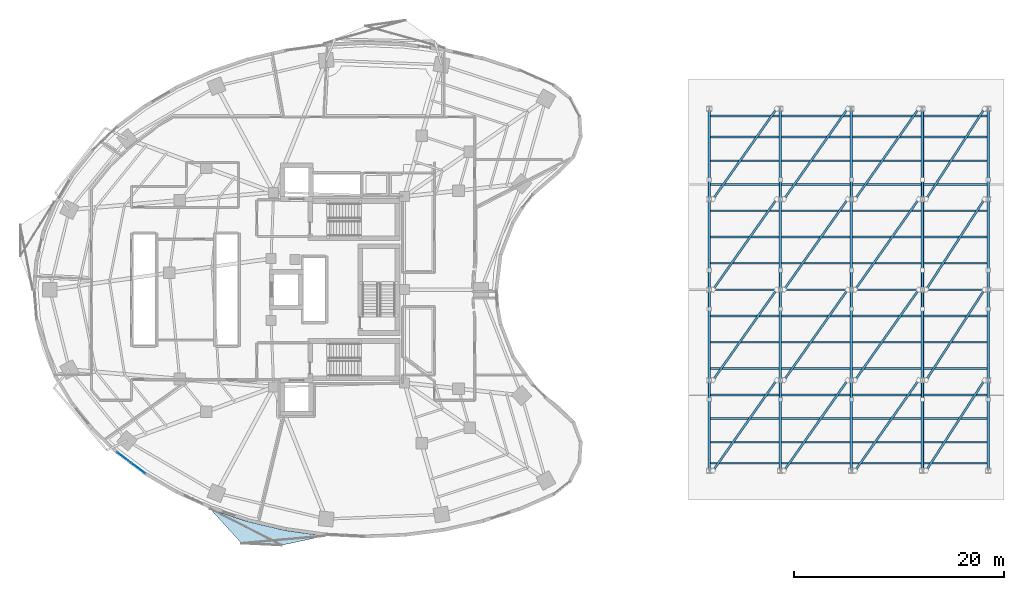
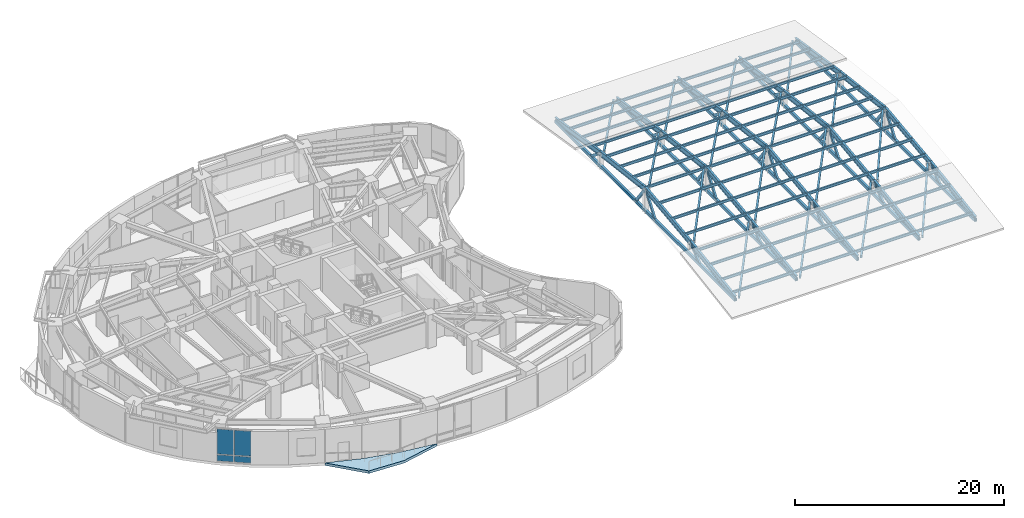
# One storey, part 8 of 17: 41 members, 35 beams, 4 plates, 1 slab, 1 element without a shape of its own.
"""IFC4 building model written with IfcOpenShell, lengths in metres."""

from ifc_helpers import new_model, si_unit, direction, frame, origin, origin_2d, place, context, subcontext, project, spatial, polyline, rectangle, hollow_rectangle, i_section, outline, extrude, material, layer, layer_set, material_profile, profile_set, type_object, element, aggregate, save


model = new_model("IFC4")

# Units and contexts
model_context = context("Model", 3, precision=1e-05, world=origin(), true_north=direction((0.0, 1.0)))
body_context = subcontext(model_context, "Body", "Model", "MODEL_VIEW")
ifc_project = project(units=[si_unit("LENGTHUNIT", "METRE"), si_unit("AREAUNIT", "SQUARE_METRE"), si_unit("VOLUMEUNIT", "CUBIC_METRE"), si_unit("PLANEANGLEUNIT", "RADIAN"), si_unit("MASSUNIT", "GRAM", prefix="KILO")], contexts=[model_context])

# Site, building, storey
site_placement = place(None, origin())
site = spatial("IfcSite", under=ifc_project, at=site_placement, CompositionType="ELEMENT")
building_placement = place(site_placement, origin())
building = spatial("IfcBuilding", under=site, at=building_placement, Name="Korentha Bioscience Tower", CompositionType="ELEMENT")
storey_placement = place(building_placement, frame((0.0, 0.0, 25.800048828125)))
storey = spatial("IfcBuildingStorey", under=building, at=storey_placement, Name="L05", CompositionType="ELEMENT", Elevation=25.800048828125)

# Beams
ifc_material_1 = material(Name="Steel S355", Category="steel")
ifc_material_profile_1 = material_profile(ifc_material_1, i_section(OverallWidth=0.22998046875, OverallDepth=0.616943359375, WebThickness=0.01318359375, FlangeThickness=0.022216796875, at=origin_2d()), Name="Steel S355")
ifc_profile_set_1 = profile_set([ifc_material_profile_1], Name="Steel S355 (TV-610)")
beam_type_1 = type_object("IfcBeamType", Name="Theatre Vault Arch Chord W610x140", PredefinedType="BEAM", material=ifc_profile_set_1)
beam_1_placement = place(storey_placement, frame((66.5, 9.800048828125, 0.37548828125), z_axis=(0.0, 0.988765843258, 0.149472764098), x_axis=(-1.0, 0.0, 0.0)))
element("IfcBeam", 1, at=beam_1_placement, inside=storey, type_object=beam_type_1, Name="L05 Theatre Vault Arch Rib 01-1", PredefinedType="BEAM", context=body_context, shape_type="SweptSolid", body=[
    extrude(i_section(OverallWidth=0.22998046875, OverallDepth=0.616943359375, WebThickness=0.01318359375, FlangeThickness=0.022216796875, at=origin_2d()), origin(), (0.0, 0.0, 1.0), 8.697509765625),
])
for number, where, z_axis, x_axis, name in (
    (2, (66.5, 18.39990234375, 1.675537109375), (0.0, 0.99263183095, 0.121169501876), (-1.0, 0.0, 0.0), "L05 Theatre Vault Arch Rib 01-2"),
    (3, (66.5, 27.0, 2.725341796875), (0.0, 0.99263183095, -0.121169501876), (-1.0, 0.0, 0.0), "L05 Theatre Vault Arch Rib 01-3"),
):
    element("IfcBeam", number, at=place(storey_placement, frame(where, z_axis=z_axis, x_axis=x_axis)), inside=storey, type_object=beam_type_1, Name=name, PredefinedType="BEAM", context=body_context, shape_type="SweptSolid", body=[
        extrude(i_section(OverallWidth=0.22998046875, OverallDepth=0.616943359375, WebThickness=0.01318359375, FlangeThickness=0.022216796875, at=origin_2d()), origin(), (0.0, 0.0, 1.0), 8.663818359375),
    ])
for number, where, z_axis, x_axis, name in (
    (4, (66.5, 35.60009765625, 1.675537109375), (0.0, 0.988765843258, -0.149472764098), (-1.0, 0.0, 0.0), "L05 Theatre Vault Arch Rib 01-4"),
    (5, (73.25, 9.800048828125, 0.37548828125), (0.0, 0.988765843258, 0.149472764098), (-1.0, 0.0, 0.0), "L05 Theatre Vault Arch Rib 02-1"),
):
    element("IfcBeam", number, at=place(storey_placement, frame(where, z_axis=z_axis, x_axis=x_axis)), inside=storey, type_object=beam_type_1, Name=name, PredefinedType="BEAM", context=body_context, shape_type="SweptSolid", body=[
        extrude(i_section(OverallWidth=0.22998046875, OverallDepth=0.616943359375, WebThickness=0.01318359375, FlangeThickness=0.022216796875, at=origin_2d()), origin(), (0.0, 0.0, 1.0), 8.697509765625),
    ])
for number, where, z_axis, x_axis, name in (
    (6, (73.25, 18.39990234375, 1.675537109375), (0.0, 0.99263183095, 0.121169501876), (-1.0, 0.0, 0.0), "L05 Theatre Vault Arch Rib 02-2"),
    (7, (73.25, 27.0, 2.725341796875), (0.0, 0.99263183095, -0.121169501876), (-1.0, 0.0, 0.0), "L05 Theatre Vault Arch Rib 02-3"),
):
    element("IfcBeam", number, at=place(storey_placement, frame(where, z_axis=z_axis, x_axis=x_axis)), inside=storey, type_object=beam_type_1, Name=name, PredefinedType="BEAM", context=body_context, shape_type="SweptSolid", body=[
        extrude(i_section(OverallWidth=0.22998046875, OverallDepth=0.616943359375, WebThickness=0.01318359375, FlangeThickness=0.022216796875, at=origin_2d()), origin(), (0.0, 0.0, 1.0), 8.663818359375),
    ])
for number, where, z_axis, x_axis, name in (
    (8, (73.25, 35.60009765625, 1.675537109375), (0.0, 0.988765843258, -0.149472764098), (-1.0, 0.0, 0.0), "L05 Theatre Vault Arch Rib 02-4"),
    (9, (80.0, 9.800048828125, 0.37548828125), (0.0, 0.988765843258, 0.149472764098), (-1.0, 0.0, 0.0), "L05 Theatre Vault Arch Rib 03-1"),
):
    element("IfcBeam", number, at=place(storey_placement, frame(where, z_axis=z_axis, x_axis=x_axis)), inside=storey, type_object=beam_type_1, Name=name, PredefinedType="BEAM", context=body_context, shape_type="SweptSolid", body=[
        extrude(i_section(OverallWidth=0.22998046875, OverallDepth=0.616943359375, WebThickness=0.01318359375, FlangeThickness=0.022216796875, at=origin_2d()), origin(), (0.0, 0.0, 1.0), 8.697509765625),
    ])
for number, where, z_axis, x_axis, name in (
    (10, (80.0, 18.39990234375, 1.675537109375), (0.0, 0.99263183095, 0.121169501876), (-1.0, 0.0, 0.0), "L05 Theatre Vault Arch Rib 03-2"),
    (11, (80.0, 27.0, 2.725341796875), (0.0, 0.99263183095, -0.121169501876), (-1.0, 0.0, 0.0), "L05 Theatre Vault Arch Rib 03-3"),
):
    element("IfcBeam", number, at=place(storey_placement, frame(where, z_axis=z_axis, x_axis=x_axis)), inside=storey, type_object=beam_type_1, Name=name, PredefinedType="BEAM", context=body_context, shape_type="SweptSolid", body=[
        extrude(i_section(OverallWidth=0.22998046875, OverallDepth=0.616943359375, WebThickness=0.01318359375, FlangeThickness=0.022216796875, at=origin_2d()), origin(), (0.0, 0.0, 1.0), 8.663818359375),
    ])
for number, where, z_axis, x_axis, name in (
    (12, (80.0, 35.60009765625, 1.675537109375), (0.0, 0.988765843258, -0.149472764098), (-1.0, 0.0, 0.0), "L05 Theatre Vault Arch Rib 03-4"),
    (13, (86.75, 9.800048828125, 0.37548828125), (0.0, 0.988765843258, 0.149472764098), (-1.0, 0.0, 0.0), "L05 Theatre Vault Arch Rib 04-1"),
):
    element("IfcBeam", number, at=place(storey_placement, frame(where, z_axis=z_axis, x_axis=x_axis)), inside=storey, type_object=beam_type_1, Name=name, PredefinedType="BEAM", context=body_context, shape_type="SweptSolid", body=[
        extrude(i_section(OverallWidth=0.22998046875, OverallDepth=0.616943359375, WebThickness=0.01318359375, FlangeThickness=0.022216796875, at=origin_2d()), origin(), (0.0, 0.0, 1.0), 8.697509765625),
    ])
for number, where, z_axis, x_axis, name in (
    (14, (86.75, 18.39990234375, 1.675537109375), (0.0, 0.99263183095, 0.121169501876), (-1.0, 0.0, 0.0), "L05 Theatre Vault Arch Rib 04-2"),
    (15, (86.75, 27.0, 2.725341796875), (0.0, 0.99263183095, -0.121169501876), (-1.0, 0.0, 0.0), "L05 Theatre Vault Arch Rib 04-3"),
):
    element("IfcBeam", number, at=place(storey_placement, frame(where, z_axis=z_axis, x_axis=x_axis)), inside=storey, type_object=beam_type_1, Name=name, PredefinedType="BEAM", context=body_context, shape_type="SweptSolid", body=[
        extrude(i_section(OverallWidth=0.22998046875, OverallDepth=0.616943359375, WebThickness=0.01318359375, FlangeThickness=0.022216796875, at=origin_2d()), origin(), (0.0, 0.0, 1.0), 8.663818359375),
    ])
for number, where, z_axis, x_axis, name in (
    (16, (86.75, 35.60009765625, 1.675537109375), (0.0, 0.988765843258, -0.149472764098), (-1.0, 0.0, 0.0), "L05 Theatre Vault Arch Rib 04-4"),
    (17, (93.0, 9.800048828125, 0.37548828125), (0.0, 0.988765843258, 0.149472764098), (-1.0, 0.0, 0.0), "L05 Theatre Vault Arch Rib 05-1"),
):
    element("IfcBeam", number, at=place(storey_placement, frame(where, z_axis=z_axis, x_axis=x_axis)), inside=storey, type_object=beam_type_1, Name=name, PredefinedType="BEAM", context=body_context, shape_type="SweptSolid", body=[
        extrude(i_section(OverallWidth=0.22998046875, OverallDepth=0.616943359375, WebThickness=0.01318359375, FlangeThickness=0.022216796875, at=origin_2d()), origin(), (0.0, 0.0, 1.0), 8.697509765625),
    ])
for number, where, z_axis, x_axis, name in (
    (18, (93.0, 18.39990234375, 1.675537109375), (0.0, 0.99263183095, 0.121169501876), (-1.0, 0.0, 0.0), "L05 Theatre Vault Arch Rib 05-2"),
    (19, (93.0, 27.0, 2.725341796875), (0.0, 0.99263183095, -0.121169501876), (-1.0, 0.0, 0.0), "L05 Theatre Vault Arch Rib 05-3"),
):
    element("IfcBeam", number, at=place(storey_placement, frame(where, z_axis=z_axis, x_axis=x_axis)), inside=storey, type_object=beam_type_1, Name=name, PredefinedType="BEAM", context=body_context, shape_type="SweptSolid", body=[
        extrude(i_section(OverallWidth=0.22998046875, OverallDepth=0.616943359375, WebThickness=0.01318359375, FlangeThickness=0.022216796875, at=origin_2d()), origin(), (0.0, 0.0, 1.0), 8.663818359375),
    ])
beam_2_placement = place(storey_placement, frame((93.0, 35.60009765625, 1.675537109375), z_axis=(0.0, 0.988765843258, -0.149472764098), x_axis=(-1.0, 0.0, 0.0)))
element("IfcBeam", 20, at=beam_2_placement, inside=storey, type_object=beam_type_1, Name="L05 Theatre Vault Arch Rib 05-4", PredefinedType="BEAM", context=body_context, shape_type="SweptSolid", body=[
    extrude(i_section(OverallWidth=0.22998046875, OverallDepth=0.616943359375, WebThickness=0.01318359375, FlangeThickness=0.022216796875, at=origin_2d()), origin(), (0.0, 0.0, 1.0), 8.697509765625),
])

# Members
ifc_material_profile_2 = material_profile(ifc_material_1, hollow_rectangle(XDim=0.25, YDim=0.35009765625, WallThickness=0.01611328125, at=origin_2d()), Name="Steel S355")
ifc_profile_set_2 = profile_set([ifc_material_profile_2], Name="Steel S355 (TV-C350)")
member_type_1 = type_object("IfcMemberType", Name="Theatre Vault Bottom Chord RHS 350x250x16", PredefinedType="CHORD", material=ifc_profile_set_2)
for number, where, z_axis, x_axis, name in (
    (21, (66.5, 9.800048828125, 0.219970703125), (0.0, 1.0, 0.0), (-1.0, 0.0, 0.0), "L05 Theatre Vault Bottom Chord 01"),
    (22, (73.25, 9.800048828125, 0.219970703125), (0.0, 1.0, 0.0), (-1.0, 0.0, 0.0), "L05 Theatre Vault Bottom Chord 02"),
    (23, (80.0, 9.800048828125, 0.219970703125), (0.0, 1.0, 0.0), (-1.0, 0.0, 0.0), "L05 Theatre Vault Bottom Chord 03"),
    (24, (86.75, 9.800048828125, 0.219970703125), (0.0, 1.0, 0.0), (-1.0, 0.0, 0.0), "L05 Theatre Vault Bottom Chord 04"),
    (25, (93.0, 9.800048828125, 0.219970703125), (0.0, 1.0, 0.0), (-1.0, 0.0, 0.0), "L05 Theatre Vault Bottom Chord 05"),
):
    element("IfcMember", number, at=place(storey_placement, frame(where, z_axis=z_axis, x_axis=x_axis)), inside=storey, type_object=member_type_1, Name=name, PredefinedType="CHORD", context=body_context, shape_type="SweptSolid", body=[
        extrude(hollow_rectangle(XDim=0.25, YDim=0.35009765625, WallThickness=0.01611328125, at=origin_2d()), origin(), (0.0, 0.0, 1.0), 34.39990234375),
    ])

# Beams
ifc_material_profile_3 = material_profile(ifc_material_1, i_section(OverallWidth=0.1650390625, OverallDepth=0.31005859375, WebThickness=0.005859375, FlangeThickness=0.009765625, at=origin_2d()), Name="Steel S355")
ifc_profile_set_3 = profile_set([ifc_material_profile_3], Name="Steel S355 (TP-310)")
beam_type_2 = type_object("IfcBeamType", Name="Theatre Vault Purlin Beam W310x38.7", PredefinedType="BEAM", material=ifc_profile_set_3)
for number, where, z_axis, x_axis, name in (
    (26, (66.5, 10.5, 0.638916015625), (1.0, 0.0, 0.0), (0.0, 1.0, 0.0), "L05 Theatre Vault Purlin 01"),
    (27, (66.5, 12.5, 0.958984375), (1.0, 0.0, 0.0), (0.0, 1.0, 0.0), "L05 Theatre Vault Purlin 02"),
    (28, (66.5, 14.75, 1.31884765625), (1.0, 0.0, 0.0), (0.0, 1.0, 0.0), "L05 Theatre Vault Purlin 03"),
    (29, (66.5, 17.0, 1.678955078125), (1.0, 0.0, 0.0), (0.0, 1.0, 0.0), "L05 Theatre Vault Purlin 04"),
    (30, (66.5, 19.5, 1.97900390625), (1.0, 0.0, 0.0), (0.0, 1.0, 0.0), "L05 Theatre Vault Purlin 05"),
    (31, (66.5, 22.0, 2.279052734375), (1.0, 0.0, 0.0), (0.0, 1.0, 0.0), "L05 Theatre Vault Purlin 06"),
    (32, (66.5, 24.5, 2.578857421875), (1.0, 0.0, 0.0), (0.0, 1.0, 0.0), "L05 Theatre Vault Purlin 07"),
    (33, (66.5, 27.0, 2.87890625), (1.0, 0.0, 0.0), (0.0, 1.0, 0.0), "L05 Theatre Vault Purlin 08"),
    (34, (66.5, 29.5, 2.578857421875), (1.0, 0.0, 0.0), (0.0, 1.0, 0.0), "L05 Theatre Vault Purlin 09"),
    (35, (66.5, 32.0, 2.279052734375), (1.0, 0.0, 0.0), (0.0, 1.0, 0.0), "L05 Theatre Vault Purlin 10"),
    (36, (66.5, 34.5, 1.97900390625), (1.0, 0.0, 0.0), (0.0, 1.0, 0.0), "L05 Theatre Vault Purlin 11"),
    (37, (66.5, 37.0, 1.678955078125), (1.0, 0.0, 0.0), (0.0, 1.0, 0.0), "L05 Theatre Vault Purlin 12"),
    (38, (66.5, 39.25, 1.31884765625), (1.0, 0.0, 0.0), (0.0, 1.0, 0.0), "L05 Theatre Vault Purlin 13"),
    (39, (66.5, 41.5, 0.958984375), (1.0, 0.0, 0.0), (0.0, 1.0, 0.0), "L05 Theatre Vault Purlin 14"),
    (40, (66.5, 43.5, 0.638916015625), (1.0, 0.0, 0.0), (0.0, 1.0, 0.0), "L05 Theatre Vault Purlin 15"),
):
    element("IfcBeam", number, at=place(storey_placement, frame(where, z_axis=z_axis, x_axis=x_axis)), inside=storey, type_object=beam_type_2, Name=name, PredefinedType="BEAM", context=body_context, shape_type="SweptSolid", body=[
        extrude(i_section(OverallWidth=0.1650390625, OverallDepth=0.31005859375, WebThickness=0.005859375, FlangeThickness=0.009765625, at=origin_2d()), origin(), (0.0, 0.0, 1.0), 26.5),
    ])

# Members
ifc_material_profile_4 = material_profile(ifc_material_1, hollow_rectangle(XDim=0.199951171875, YDim=0.300048828125, WallThickness=0.01611328125, at=origin_2d()), Name="Steel S355")
ifc_profile_set_4 = profile_set([ifc_material_profile_4], Name="Steel S355 (TV-W300)")
member_type_2 = type_object("IfcMemberType", Name="Theatre Vault Truss Web RHS 300x200x16", PredefinedType="BRACE", material=ifc_profile_set_4)
member_1_placement = place(storey_placement, frame((66.5, 16.550048828125, 0.219970703125), z_axis=(0.0, 0.785882652454, 0.618375659751), x_axis=(-1.0, 0.0, 0.0)))
element("IfcMember", 41, at=member_1_placement, inside=storey, type_object=member_type_2, Name="L05 Theatre Vault Web Diagonal 01-1", PredefinedType="BRACE", context=body_context, shape_type="SweptSolid", body=[
    extrude(hollow_rectangle(XDim=0.199951171875, YDim=0.300048828125, WallThickness=0.01611328125, at=origin_2d()), origin(), (0.0, 0.0, 1.0), 2.353759765625),
])
for number, where, z_axis, x_axis, name in (
    (42, (66.5, 25.14990234375, 0.219970703125), (0.0, 0.594038345399, 0.804436724793), (-1.0, 0.0, 0.0), "L05 Theatre Vault Web Diagonal 01-2"),
    (43, (66.5, 28.85009765625, 0.219970703125), (0.0, -0.594038345399, 0.804436724793), (1.0, 0.0, 0.0), "L05 Theatre Vault Web Diagonal 01-3"),
):
    element("IfcMember", number, at=place(storey_placement, frame(where, z_axis=z_axis, x_axis=x_axis)), inside=storey, type_object=member_type_2, Name=name, PredefinedType="BRACE", context=body_context, shape_type="SweptSolid", body=[
        extrude(hollow_rectangle(XDim=0.199951171875, YDim=0.300048828125, WallThickness=0.01611328125, at=origin_2d()), origin(), (0.0, 0.0, 1.0), 3.114501953125),
    ])
for number, where, z_axis, x_axis, name in (
    (44, (66.5, 37.449951171875, 0.219970703125), (0.0, -0.785882652454, 0.618375659751), (1.0, 0.0, 0.0), "L05 Theatre Vault Web Diagonal 01-4"),
    (45, (73.25, 16.550048828125, 0.219970703125), (0.0, 0.785882652454, 0.618375659751), (-1.0, 0.0, 0.0), "L05 Theatre Vault Web Diagonal 02-1"),
):
    element("IfcMember", number, at=place(storey_placement, frame(where, z_axis=z_axis, x_axis=x_axis)), inside=storey, type_object=member_type_2, Name=name, PredefinedType="BRACE", context=body_context, shape_type="SweptSolid", body=[
        extrude(hollow_rectangle(XDim=0.199951171875, YDim=0.300048828125, WallThickness=0.01611328125, at=origin_2d()), origin(), (0.0, 0.0, 1.0), 2.353759765625),
    ])
for number, where, z_axis, x_axis, name in (
    (46, (73.25, 25.14990234375, 0.219970703125), (0.0, 0.594038345399, 0.804436724793), (-1.0, 0.0, 0.0), "L05 Theatre Vault Web Diagonal 02-2"),
    (47, (73.25, 28.85009765625, 0.219970703125), (0.0, -0.594038345399, 0.804436724793), (1.0, 0.0, 0.0), "L05 Theatre Vault Web Diagonal 02-3"),
):
    element("IfcMember", number, at=place(storey_placement, frame(where, z_axis=z_axis, x_axis=x_axis)), inside=storey, type_object=member_type_2, Name=name, PredefinedType="BRACE", context=body_context, shape_type="SweptSolid", body=[
        extrude(hollow_rectangle(XDim=0.199951171875, YDim=0.300048828125, WallThickness=0.01611328125, at=origin_2d()), origin(), (0.0, 0.0, 1.0), 3.114501953125),
    ])
for number, where, z_axis, x_axis, name in (
    (48, (73.25, 37.449951171875, 0.219970703125), (0.0, -0.785882652454, 0.618375659751), (1.0, 0.0, 0.0), "L05 Theatre Vault Web Diagonal 02-4"),
    (49, (80.0, 16.550048828125, 0.219970703125), (0.0, 0.785882652454, 0.618375659751), (-1.0, 0.0, 0.0), "L05 Theatre Vault Web Diagonal 03-1"),
):
    element("IfcMember", number, at=place(storey_placement, frame(where, z_axis=z_axis, x_axis=x_axis)), inside=storey, type_object=member_type_2, Name=name, PredefinedType="BRACE", context=body_context, shape_type="SweptSolid", body=[
        extrude(hollow_rectangle(XDim=0.199951171875, YDim=0.300048828125, WallThickness=0.01611328125, at=origin_2d()), origin(), (0.0, 0.0, 1.0), 2.353759765625),
    ])
for number, where, z_axis, x_axis, name in (
    (50, (80.0, 25.14990234375, 0.219970703125), (0.0, 0.594038345399, 0.804436724793), (-1.0, 0.0, 0.0), "L05 Theatre Vault Web Diagonal 03-2"),
    (51, (80.0, 28.85009765625, 0.219970703125), (0.0, -0.594038345399, 0.804436724793), (1.0, 0.0, 0.0), "L05 Theatre Vault Web Diagonal 03-3"),
):
    element("IfcMember", number, at=place(storey_placement, frame(where, z_axis=z_axis, x_axis=x_axis)), inside=storey, type_object=member_type_2, Name=name, PredefinedType="BRACE", context=body_context, shape_type="SweptSolid", body=[
        extrude(hollow_rectangle(XDim=0.199951171875, YDim=0.300048828125, WallThickness=0.01611328125, at=origin_2d()), origin(), (0.0, 0.0, 1.0), 3.114501953125),
    ])
for number, where, z_axis, x_axis, name in (
    (52, (80.0, 37.449951171875, 0.219970703125), (0.0, -0.785882652454, 0.618375659751), (1.0, 0.0, 0.0), "L05 Theatre Vault Web Diagonal 03-4"),
    (53, (86.75, 16.550048828125, 0.219970703125), (0.0, 0.785882652454, 0.618375659751), (-1.0, 0.0, 0.0), "L05 Theatre Vault Web Diagonal 04-1"),
):
    element("IfcMember", number, at=place(storey_placement, frame(where, z_axis=z_axis, x_axis=x_axis)), inside=storey, type_object=member_type_2, Name=name, PredefinedType="BRACE", context=body_context, shape_type="SweptSolid", body=[
        extrude(hollow_rectangle(XDim=0.199951171875, YDim=0.300048828125, WallThickness=0.01611328125, at=origin_2d()), origin(), (0.0, 0.0, 1.0), 2.353759765625),
    ])
for number, where, z_axis, x_axis, name in (
    (54, (86.75, 25.14990234375, 0.219970703125), (0.0, 0.594038345399, 0.804436724793), (-1.0, 0.0, 0.0), "L05 Theatre Vault Web Diagonal 04-2"),
    (55, (86.75, 28.85009765625, 0.219970703125), (0.0, -0.594038345399, 0.804436724793), (1.0, 0.0, 0.0), "L05 Theatre Vault Web Diagonal 04-3"),
):
    element("IfcMember", number, at=place(storey_placement, frame(where, z_axis=z_axis, x_axis=x_axis)), inside=storey, type_object=member_type_2, Name=name, PredefinedType="BRACE", context=body_context, shape_type="SweptSolid", body=[
        extrude(hollow_rectangle(XDim=0.199951171875, YDim=0.300048828125, WallThickness=0.01611328125, at=origin_2d()), origin(), (0.0, 0.0, 1.0), 3.114501953125),
    ])
for number, where, z_axis, x_axis, name in (
    (56, (86.75, 37.449951171875, 0.219970703125), (0.0, -0.785882652454, 0.618375659751), (1.0, 0.0, 0.0), "L05 Theatre Vault Web Diagonal 04-4"),
    (57, (93.0, 16.550048828125, 0.219970703125), (0.0, 0.785882652454, 0.618375659751), (-1.0, 0.0, 0.0), "L05 Theatre Vault Web Diagonal 05-1"),
):
    element("IfcMember", number, at=place(storey_placement, frame(where, z_axis=z_axis, x_axis=x_axis)), inside=storey, type_object=member_type_2, Name=name, PredefinedType="BRACE", context=body_context, shape_type="SweptSolid", body=[
        extrude(hollow_rectangle(XDim=0.199951171875, YDim=0.300048828125, WallThickness=0.01611328125, at=origin_2d()), origin(), (0.0, 0.0, 1.0), 2.353759765625),
    ])
for number, where, z_axis, x_axis, name in (
    (58, (93.0, 25.14990234375, 0.219970703125), (0.0, 0.594038345399, 0.804436724793), (-1.0, 0.0, 0.0), "L05 Theatre Vault Web Diagonal 05-2"),
    (59, (93.0, 28.85009765625, 0.219970703125), (0.0, -0.594038345399, 0.804436724793), (1.0, 0.0, 0.0), "L05 Theatre Vault Web Diagonal 05-3"),
):
    element("IfcMember", number, at=place(storey_placement, frame(where, z_axis=z_axis, x_axis=x_axis)), inside=storey, type_object=member_type_2, Name=name, PredefinedType="BRACE", context=body_context, shape_type="SweptSolid", body=[
        extrude(hollow_rectangle(XDim=0.199951171875, YDim=0.300048828125, WallThickness=0.01611328125, at=origin_2d()), origin(), (0.0, 0.0, 1.0), 3.114501953125),
    ])
member_2_placement = place(storey_placement, frame((93.0, 37.449951171875, 0.219970703125), z_axis=(0.0, -0.785882652454, 0.618375659751), x_axis=(1.0, 0.0, 0.0)))
element("IfcMember", 60, at=member_2_placement, inside=storey, type_object=member_type_2, Name="L05 Theatre Vault Web Diagonal 05-4", PredefinedType="BRACE", context=body_context, shape_type="SweptSolid", body=[
    extrude(hollow_rectangle(XDim=0.199951171875, YDim=0.300048828125, WallThickness=0.01611328125, at=origin_2d()), origin(), (0.0, 0.0, 1.0), 2.353759765625),
])
member_3_placement = place(storey_placement, frame((66.85009765625, 9.800048828125, 0.371337890625), z_axis=(0.571021608576, 0.81171251663, 0.122707427993), x_axis=(-0.817893428389, 0.575369741816, 0.0)))
element("IfcMember", 61, at=member_3_placement, inside=storey, type_object=member_type_2, Name="L05 Theatre Vault Wind Brace 1-1", PredefinedType="BRACE", context=body_context, shape_type="SweptSolid", body=[
    extrude(hollow_rectangle(XDim=0.199951171875, YDim=0.300048828125, WallThickness=0.01611328125, at=origin_2d()), origin(), (0.0, 0.0, 1.0), 10.5947265625),
])
for number, where, z_axis, x_axis, name in (
    (62, (66.85009765625, 18.39990234375, 1.67138671875), (0.572511149397, 0.813853016492, 0.099369267698), (-0.817901114867, 0.575358815262, 0.0), "L05 Theatre Vault Wind Brace 1-2"),
    (63, (66.85009765625, 27.0, 2.721435546875), (0.572511149397, 0.813853016492, -0.099369267698), (-0.817901114867, 0.575358815262, 0.0), "L05 Theatre Vault Wind Brace 1-3"),
):
    element("IfcMember", number, at=place(storey_placement, frame(where, z_axis=z_axis, x_axis=x_axis)), inside=storey, type_object=member_type_2, Name=name, PredefinedType="BRACE", context=body_context, shape_type="SweptSolid", body=[
        extrude(hollow_rectangle(XDim=0.199951171875, YDim=0.300048828125, WallThickness=0.01611328125, at=origin_2d()), origin(), (0.0, 0.0, 1.0), 10.567138671875),
    ])
for number, where, z_axis, x_axis, name in (
    (64, (66.85009765625, 35.60009765625, 1.67138671875), (0.571021608576, 0.81171251663, -0.122707427993), (-0.817893428389, 0.575369741816, 0.0), "L05 Theatre Vault Wind Brace 1-4"),
    (65, (73.60009765625, 9.800048828125, 0.371337890625), (0.571021608576, 0.81171251663, 0.122707427993), (-0.817893428389, 0.575369741816, 0.0), "L05 Theatre Vault Wind Brace 2-1"),
):
    element("IfcMember", number, at=place(storey_placement, frame(where, z_axis=z_axis, x_axis=x_axis)), inside=storey, type_object=member_type_2, Name=name, PredefinedType="BRACE", context=body_context, shape_type="SweptSolid", body=[
        extrude(hollow_rectangle(XDim=0.199951171875, YDim=0.300048828125, WallThickness=0.01611328125, at=origin_2d()), origin(), (0.0, 0.0, 1.0), 10.5947265625),
    ])
for number, where, z_axis, x_axis, name in (
    (66, (73.60009765625, 18.39990234375, 1.67138671875), (0.572511149397, 0.813853016492, 0.099369267698), (-0.817901114867, 0.575358815262, 0.0), "L05 Theatre Vault Wind Brace 2-2"),
    (67, (73.60009765625, 27.0, 2.721435546875), (0.572511149397, 0.813853016492, -0.099369267698), (-0.817901114867, 0.575358815262, 0.0), "L05 Theatre Vault Wind Brace 2-3"),
):
    element("IfcMember", number, at=place(storey_placement, frame(where, z_axis=z_axis, x_axis=x_axis)), inside=storey, type_object=member_type_2, Name=name, PredefinedType="BRACE", context=body_context, shape_type="SweptSolid", body=[
        extrude(hollow_rectangle(XDim=0.199951171875, YDim=0.300048828125, WallThickness=0.01611328125, at=origin_2d()), origin(), (0.0, 0.0, 1.0), 10.567138671875),
    ])
for number, where, z_axis, x_axis, name in (
    (68, (73.60009765625, 35.60009765625, 1.67138671875), (0.571021608576, 0.81171251663, -0.122707427993), (-0.817893428389, 0.575369741816, 0.0), "L05 Theatre Vault Wind Brace 2-4"),
    (69, (80.35009765625, 9.800048828125, 0.371337890625), (0.571021608576, 0.81171251663, 0.122707427993), (-0.817893428389, 0.575369741816, 0.0), "L05 Theatre Vault Wind Brace 3-1"),
):
    element("IfcMember", number, at=place(storey_placement, frame(where, z_axis=z_axis, x_axis=x_axis)), inside=storey, type_object=member_type_2, Name=name, PredefinedType="BRACE", context=body_context, shape_type="SweptSolid", body=[
        extrude(hollow_rectangle(XDim=0.199951171875, YDim=0.300048828125, WallThickness=0.01611328125, at=origin_2d()), origin(), (0.0, 0.0, 1.0), 10.5947265625),
    ])
for number, where, z_axis, x_axis, name in (
    (70, (80.35009765625, 18.39990234375, 1.67138671875), (0.572511149397, 0.813853016492, 0.099369267698), (-0.817901114867, 0.575358815262, 0.0), "L05 Theatre Vault Wind Brace 3-2"),
    (71, (80.35009765625, 27.0, 2.721435546875), (0.572511149397, 0.813853016492, -0.099369267698), (-0.817901114867, 0.575358815262, 0.0), "L05 Theatre Vault Wind Brace 3-3"),
):
    element("IfcMember", number, at=place(storey_placement, frame(where, z_axis=z_axis, x_axis=x_axis)), inside=storey, type_object=member_type_2, Name=name, PredefinedType="BRACE", context=body_context, shape_type="SweptSolid", body=[
        extrude(hollow_rectangle(XDim=0.199951171875, YDim=0.300048828125, WallThickness=0.01611328125, at=origin_2d()), origin(), (0.0, 0.0, 1.0), 10.567138671875),
    ])
member_4_placement = place(storey_placement, frame((80.35009765625, 35.60009765625, 1.67138671875), z_axis=(0.571021608576, 0.81171251663, -0.122707427993), x_axis=(-0.817893428389, 0.575369741816, 0.0)))
element("IfcMember", 72, at=member_4_placement, inside=storey, type_object=member_type_2, Name="L05 Theatre Vault Wind Brace 3-4", PredefinedType="BRACE", context=body_context, shape_type="SweptSolid", body=[
    extrude(hollow_rectangle(XDim=0.199951171875, YDim=0.300048828125, WallThickness=0.01611328125, at=origin_2d()), origin(), (0.0, 0.0, 1.0), 10.5947265625),
])
member_5_placement = place(storey_placement, frame((87.10009765625, 9.800048828125, 0.371337890625), z_axis=(0.537909320815, 0.833532281617, 0.126005944631), x_axis=(-0.840229340994, 0.542231181816, 0.0)))
element("IfcMember", 73, at=member_5_placement, inside=storey, type_object=member_type_2, Name="L05 Theatre Vault Wind Brace 4-1", PredefinedType="BRACE", context=body_context, shape_type="SweptSolid", body=[
    extrude(hollow_rectangle(XDim=0.199951171875, YDim=0.300048828125, WallThickness=0.01611328125, at=origin_2d()), origin(), (0.0, 0.0, 1.0), 10.3173828125),
])
for number, where, z_axis, x_axis, name in (
    (74, (87.10009765625, 18.39990234375, 1.67138671875), (0.539389253558, 0.835849280566, 0.10205495247), (-0.840236353976, 0.5422203145, 0.0), "L05 Theatre Vault Wind Brace 4-2"),
    (75, (87.10009765625, 27.0, 2.721435546875), (0.539389253558, 0.835849280566, -0.10205495247), (-0.840236353976, 0.5422203145, 0.0), "L05 Theatre Vault Wind Brace 4-3"),
):
    element("IfcMember", number, at=place(storey_placement, frame(where, z_axis=z_axis, x_axis=x_axis)), inside=storey, type_object=member_type_2, Name=name, PredefinedType="BRACE", context=body_context, shape_type="SweptSolid", body=[
        extrude(hollow_rectangle(XDim=0.199951171875, YDim=0.300048828125, WallThickness=0.01611328125, at=origin_2d()), origin(), (0.0, 0.0, 1.0), 10.2890625),
    ])
member_6_placement = place(storey_placement, frame((87.10009765625, 35.60009765625, 1.67138671875), z_axis=(0.537909320815, 0.833532281617, -0.126005944631), x_axis=(-0.840229340994, 0.542231181816, 0.0)))
element("IfcMember", 76, at=member_6_placement, inside=storey, type_object=member_type_2, Name="L05 Theatre Vault Wind Brace 4-4", PredefinedType="BRACE", context=body_context, shape_type="SweptSolid", body=[
    extrude(hollow_rectangle(XDim=0.199951171875, YDim=0.300048828125, WallThickness=0.01611328125, at=origin_2d()), origin(), (0.0, 0.0, 1.0), 10.3173828125),
])

# Curtain wall, plates
ifc_material_2 = material(Name="Thermally Broken Aluminium Frame", Category="aluminium")
ifc_layer_1 = layer(ifc_material_2, 0.219970703125, Name="Thermally Broken Aluminium Frame")
ifc_layer_set_1 = layer_set([ifc_layer_1], Name="Thermally Broken Aluminium Frame (CW-T1)")
curtain_wall_type = type_object("IfcCurtainWallType", Name="Standard Bioscience Lab Unitised Curtain Wall CW-T1", PredefinedType="USERDEFINED", material=ifc_layer_set_1)
curtain_wall_placement = place(storey_placement, origin())
curtain_wall = element("IfcCurtainWall", 77, at=curtain_wall_placement, inside=storey, type_object=curtain_wall_type, Name="L05 Curtain Wall 25", ObjectType="UNITISED", PredefinedType="USERDEFINED")
ifc_material_3 = material(Name="Triple-Glazed Low-E Insulated Glass", Category="glass")
ifc_layer_2 = layer(ifc_material_3, 0.0439453125, Name="Triple-Glazed Low-E Insulated Glass")
ifc_layer_set_2 = layer_set([ifc_layer_2], Name="Triple-Glazed Low-E Insulated Glass (GL-44)")
plate_type = type_object("IfcPlateType", Name="Glazed Panel 44mm", PredefinedType="CURTAIN_PANEL", material=ifc_layer_set_2)
plate_1_placement = place(storey_placement, frame((10.892578125, 11.037109375, 0.08984375), z_axis=(0.0, 0.0, 1.0), x_axis=(0.800797909614, -0.598934644145, 0.0)))
plate_1 = element("IfcPlate", 78, at=plate_1_placement, type_object=plate_type, Name="CW-L05-25 Bay 1 Glazed Panel 1", PredefinedType="CURTAIN_PANEL", context=body_context, shape_type="SweptSolid", body=[
    extrude(rectangle(XDim=1.58544921875, YDim=0.0439453125, at=origin_2d()), origin(), (0.0, 0.0, 1.0), 0.715087890625),
])
plate_2_placement = place(storey_placement, frame((10.892578125, 11.037109375, 0.89501953125), z_axis=(0.0, 0.0, 1.0), x_axis=(0.800797909614, -0.598934644145, 0.0)))
plate_2 = element("IfcPlate", 79, at=plate_2_placement, type_object=plate_type, Name="CW-L05-25 Bay 1 Glazed Panel 2", PredefinedType="CURTAIN_PANEL", context=body_context, shape_type="SweptSolid", body=[
    extrude(rectangle(XDim=1.58544921875, YDim=0.0439453125, at=origin_2d()), origin(), (0.0, 0.0, 1.0), 2.9150390625),
])
plate_3_placement = place(storey_placement, frame((12.234375, 10.033447265625, 0.08984375), z_axis=(0.0, 0.0, 1.0), x_axis=(0.800797909614, -0.598934644145, 0.0)))
plate_3 = element("IfcPlate", 80, at=plate_3_placement, type_object=plate_type, Name="CW-L05-25 Bay 2 Glazed Panel 1", PredefinedType="CURTAIN_PANEL", context=body_context, shape_type="SweptSolid", body=[
    extrude(rectangle(XDim=1.58544921875, YDim=0.0439453125, at=origin_2d()), origin(), (0.0, 0.0, 1.0), 0.715087890625),
])
plate_4_placement = place(storey_placement, frame((12.234375, 10.033447265625, 0.89501953125), z_axis=(0.0, 0.0, 1.0), x_axis=(0.800797909614, -0.598934644145, 0.0)))
plate_4 = element("IfcPlate", 81, at=plate_4_placement, type_object=plate_type, Name="CW-L05-25 Bay 2 Glazed Panel 2", PredefinedType="CURTAIN_PANEL", context=body_context, shape_type="SweptSolid", body=[
    extrude(rectangle(XDim=1.58544921875, YDim=0.0439453125, at=origin_2d()), origin(), (0.0, 0.0, 1.0), 2.9150390625),
])
aggregate(curtain_wall, [plate_1, plate_2, plate_3, plate_4])

# Slab
ifc_material_4 = material(Name="Concrete C50", Category="concrete")
ifc_layer_3 = layer(ifc_material_4, 0.300048828125, Name="Concrete C50")
ifc_layer_set_3 = layer_set([ifc_layer_3], Name="Concrete C50 (BS-240)")
slab_type = type_object("IfcSlabType", Name="Sawtooth Sun-Ledge Balcony Slab 240", PredefinedType="USERDEFINED", material=ifc_layer_set_3)
slab_placement = place(storey_placement, frame((0.0, 0.0, -0.300048828125)))
element("IfcSlab", 82, at=slab_placement, inside=storey, type_object=slab_type, Name="L05 Sun-Ledge Balcony 03", ObjectType="BALCONY", PredefinedType="USERDEFINED", context=body_context, shape_type="SweptSolid", body=[
    extrude(outline(polyline([(29.94091796875, 3.593017578125), (26.187255859375, 4.123291015625), (22.54638671875, 4.98388671875), (19.07080078125, 6.162353515625), (22.0517578125, 2.8916015625), (25.853759765625, 2.712158203125), (29.94091796875, 3.593017578125)])), origin(), (0.0, 0.0, 1.0), 0.300048828125),
])

save(model, "model.ifc")
